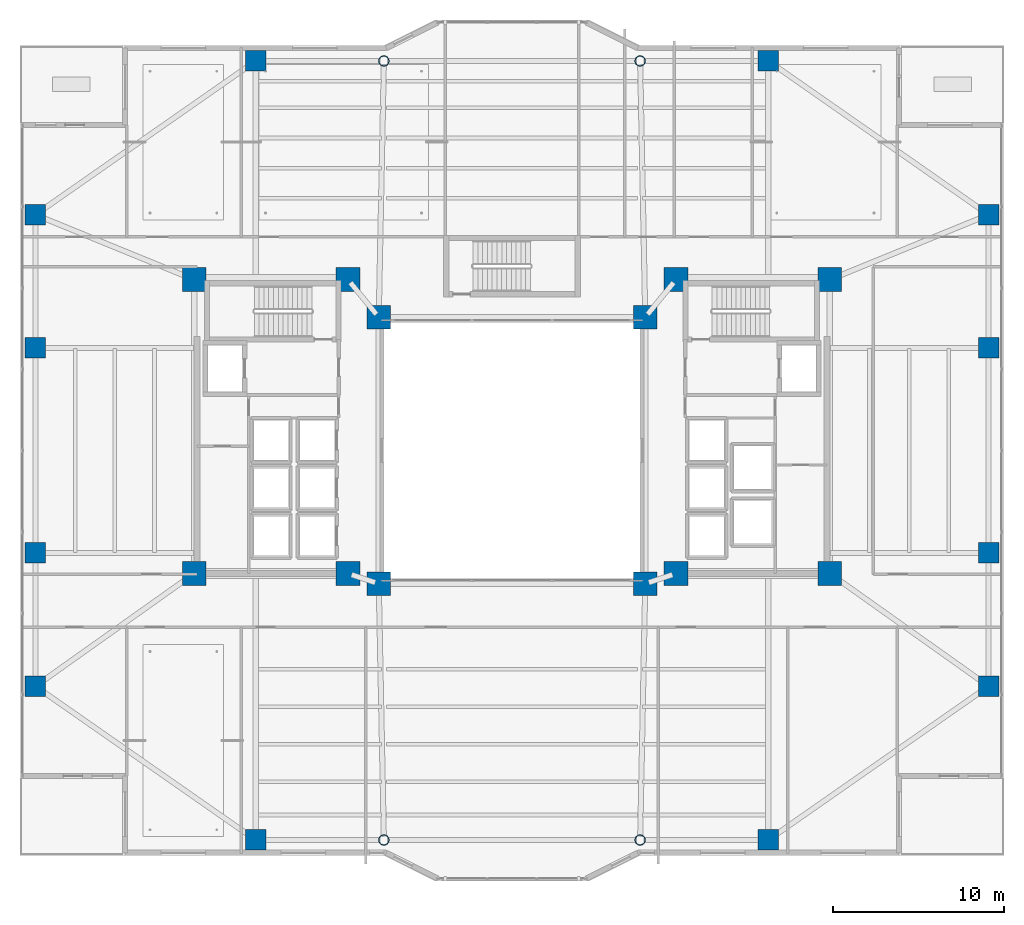
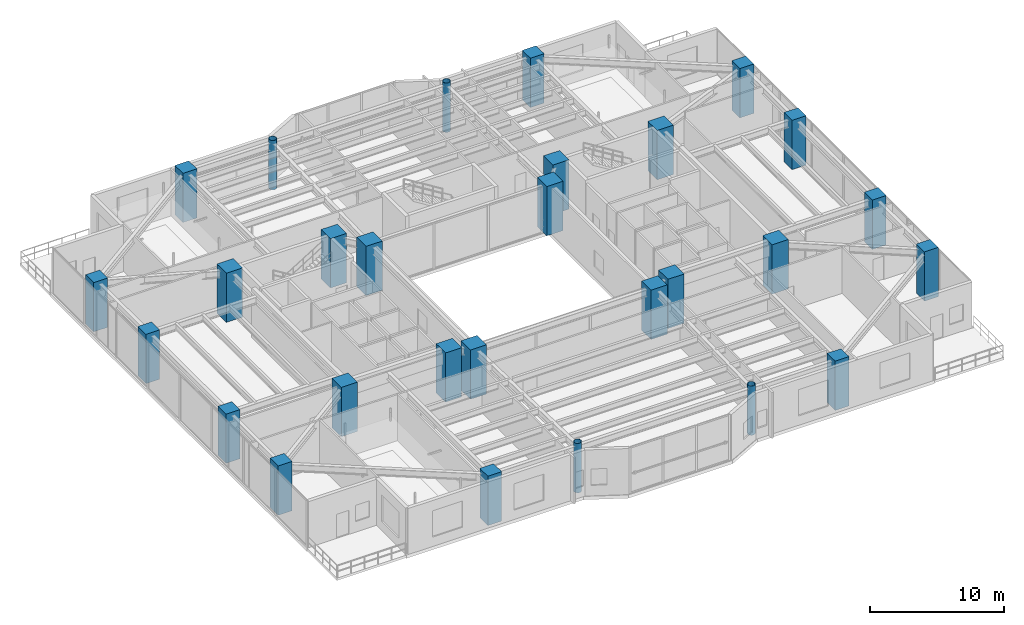
# One storey, part 1 of 40: 28 columns.
"""IFC4 building model written with IfcOpenShell, lengths in metres."""

from ifc_helpers import new_model, si_unit, direction, frame, origin, origin_2d, place, context, subcontext, project, spatial, rectangle, hollow_circle, extrude, material, material_profile, profile_set, type_object, element, save


model = new_model("IFC4")

# Units and contexts
model_context = context("Model", 3, precision=1e-05, world=origin(), true_north=direction((0.0, 1.0)))
body_context = subcontext(model_context, "Body", "Model", "MODEL_VIEW")
ifc_project = project(units=[si_unit("LENGTHUNIT", "METRE"), si_unit("AREAUNIT", "SQUARE_METRE"), si_unit("VOLUMEUNIT", "CUBIC_METRE"), si_unit("PLANEANGLEUNIT", "RADIAN"), si_unit("MASSUNIT", "GRAM", prefix="KILO")], contexts=[model_context])

# Site, building, storey
site_placement = place(None, origin())
site = spatial("IfcSite", under=ifc_project, at=site_placement, CompositionType="ELEMENT")
building_placement = place(site_placement, origin())
building = spatial("IfcBuilding", under=site, at=building_placement, Name="Tarnavaz Court Tower", CompositionType="ELEMENT")
storey_placement = place(building_placement, frame((0.0, 0.0, 64.199951171875)))
storey = spatial("IfcBuildingStorey", under=building, at=storey_placement, Name="L17", CompositionType="ELEMENT", Elevation=64.199951171875)

# Columns
ifc_material_1 = material(Name="Concrete C60/75", Category="concrete")
ifc_material_profile_1 = material_profile(ifc_material_1, rectangle(XDim=1.199951171875, YDim=1.199951171875, at=origin_2d()), Name="RC 1200X1200")
ifc_profile_set_1 = profile_set([ifc_material_profile_1], Name="Concrete C60/75")
column_type_1 = type_object("IfcColumnType", Name="CL-RC1200", PredefinedType="COLUMN", material=ifc_profile_set_1)
for number, where, z_axis, x_axis, name in (
    (1, (-15.0, 22.800048828125, 0.0), (0.0, 0.0, 1.0), (1.0, 0.0, 0.0), "L17 Column PN-1"),
    (2, (15.0, 22.800048828125, 0.0), (0.0, 0.0, 1.0), (1.0, 0.0, 0.0), "L17 Column PN-4"),
    (3, (-15.0, -22.800048828125, 0.0), (0.0, 0.0, 1.0), (1.0, 0.0, 0.0), "L17 Column PS-1"),
    (4, (15.0, -22.800048828125, 0.0), (0.0, 0.0, 1.0), (1.0, 0.0, 0.0), "L17 Column PS-4"),
    (5, (27.89990234375, -13.800048828125, 0.0), (0.0, 0.0, 1.0), (1.0, 0.0, 0.0), "L17 Column PE-1"),
    (6, (27.89990234375, -6.0, 0.0), (0.0, 0.0, 1.0), (1.0, 0.0, 0.0), "L17 Column PE-2"),
    (7, (27.89990234375, 6.0, 0.0), (0.0, 0.0, 1.0), (1.0, 0.0, 0.0), "L17 Column PE-3"),
    (8, (27.89990234375, 13.800048828125, 0.0), (0.0, 0.0, 1.0), (1.0, 0.0, 0.0), "L17 Column PE-4"),
    (9, (-27.89990234375, -13.800048828125, 0.0), (0.0, 0.0, 1.0), (1.0, 0.0, 0.0), "L17 Column PW-1"),
    (10, (-27.89990234375, -6.0, 0.0), (0.0, 0.0, 1.0), (1.0, 0.0, 0.0), "L17 Column PW-2"),
    (11, (-27.89990234375, 6.0, 0.0), (0.0, 0.0, 1.0), (1.0, 0.0, 0.0), "L17 Column PW-3"),
    (12, (-27.89990234375, 13.800048828125, 0.0), (0.0, 0.0, 1.0), (1.0, 0.0, 0.0), "L17 Column PW-4"),
):
    element("IfcColumn", number, at=place(storey_placement, frame(where, z_axis=z_axis, x_axis=x_axis)), inside=storey, type_object=column_type_1, Name=name, PredefinedType="COLUMN", context=body_context, shape_type="SweptSolid", body=[
        extrude(rectangle(XDim=1.199951171875, YDim=1.199951171875, at=origin_2d()), origin(), (0.0, 0.0, 1.0), 4.5),
    ])
ifc_material_profile_2 = material_profile(ifc_material_1, rectangle(XDim=1.39990234375, YDim=1.39990234375, at=origin_2d()), Name="RC 1400X1400")
ifc_profile_set_2 = profile_set([ifc_material_profile_2], Name="Concrete C60/75")
column_type_2 = type_object("IfcColumnType", Name="CL-RC1400", PredefinedType="COLUMN", material=ifc_profile_set_2)
for number, where, z_axis, x_axis, name in (
    (13, (-7.800048828125, -7.800048828125, 0.0), (0.0, 0.0, 1.0), (1.0, 0.0, 0.0), "L17 Column IW-SW"),
    (14, (7.800048828125, -7.800048828125, 0.0), (0.0, 0.0, 1.0), (1.0, 0.0, 0.0), "L17 Column IW-SE"),
    (15, (-7.800048828125, 7.800048828125, 0.0), (0.0, 0.0, 1.0), (1.0, 0.0, 0.0), "L17 Column IW-NW"),
    (16, (7.800048828125, 7.800048828125, 0.0), (0.0, 0.0, 1.0), (1.0, 0.0, 0.0), "L17 Column IW-NE"),
    (17, (-9.60009765625, -7.199951171875, 0.0), (0.0, 0.0, 1.0), (1.0, 0.0, 0.0), "L17 Column CW-SI"),
    (18, (-9.60009765625, 10.0, 0.0), (0.0, 0.0, 1.0), (1.0, 0.0, 0.0), "L17 Column CW-NI"),
    (19, (9.60009765625, -7.199951171875, 0.0), (0.0, 0.0, 1.0), (1.0, 0.0, 0.0), "L17 Column CE-SI"),
    (20, (9.60009765625, 10.0, 0.0), (0.0, 0.0, 1.0), (1.0, 0.0, 0.0), "L17 Column CE-NI"),
    (21, (-18.60009765625, -7.199951171875, 0.0), (0.0, 0.0, 1.0), (1.0, 0.0, 0.0), "L17 Column CW-SO"),
    (22, (-18.60009765625, 10.0, 0.0), (0.0, 0.0, 1.0), (1.0, 0.0, 0.0), "L17 Column CW-NO"),
    (23, (18.60009765625, -7.199951171875, 0.0), (0.0, 0.0, 1.0), (1.0, 0.0, 0.0), "L17 Column CE-SO"),
    (24, (18.60009765625, 10.0, 0.0), (0.0, 0.0, 1.0), (1.0, 0.0, 0.0), "L17 Column CE-NO"),
):
    element("IfcColumn", number, at=place(storey_placement, frame(where, z_axis=z_axis, x_axis=x_axis)), inside=storey, type_object=column_type_2, Name=name, PredefinedType="COLUMN", context=body_context, shape_type="SweptSolid", body=[
        extrude(rectangle(XDim=1.39990234375, YDim=1.39990234375, at=origin_2d()), origin(), (0.0, 0.0, 1.0), 4.5),
    ])
ifc_material_2 = material(Name="Steel S460", Category="steel")
ifc_material_profile_3 = material_profile(ifc_material_2, hollow_circle(Radius=0.304931640625, WallThickness=0.02490234375, at=origin_2d()), Name="CHS 610X25")
ifc_profile_set_3 = profile_set([ifc_material_profile_3], Name="Steel S460")
column_type_3 = type_object("IfcColumnType", Name="CL-S460-CHS610", PredefinedType="COLUMN", material=ifc_profile_set_3)
for number, where, z_axis, x_axis, name in (
    (25, (-7.5, 22.800048828125, 0.0), (0.0, 0.0, 1.0), (1.0, 0.0, 0.0), "L17 Column PN-2"),
    (26, (7.5, 22.800048828125, 0.0), (0.0, 0.0, 1.0), (1.0, 0.0, 0.0), "L17 Column PN-3"),
    (27, (-7.5, -22.800048828125, 0.0), (0.0, 0.0, 1.0), (1.0, 0.0, 0.0), "L17 Column PS-2"),
    (28, (7.5, -22.800048828125, 0.0), (0.0, 0.0, 1.0), (1.0, 0.0, 0.0), "L17 Column PS-3"),
):
    element("IfcColumn", number, at=place(storey_placement, frame(where, z_axis=z_axis, x_axis=x_axis)), inside=storey, type_object=column_type_3, Name=name, PredefinedType="COLUMN", context=body_context, shape_type="SweptSolid", body=[
        extrude(hollow_circle(Radius=0.304931640625, WallThickness=0.02490234375, at=origin_2d()), origin(), (0.0, 0.0, 1.0), 4.5),
    ])

save(model, "model.ifc")
